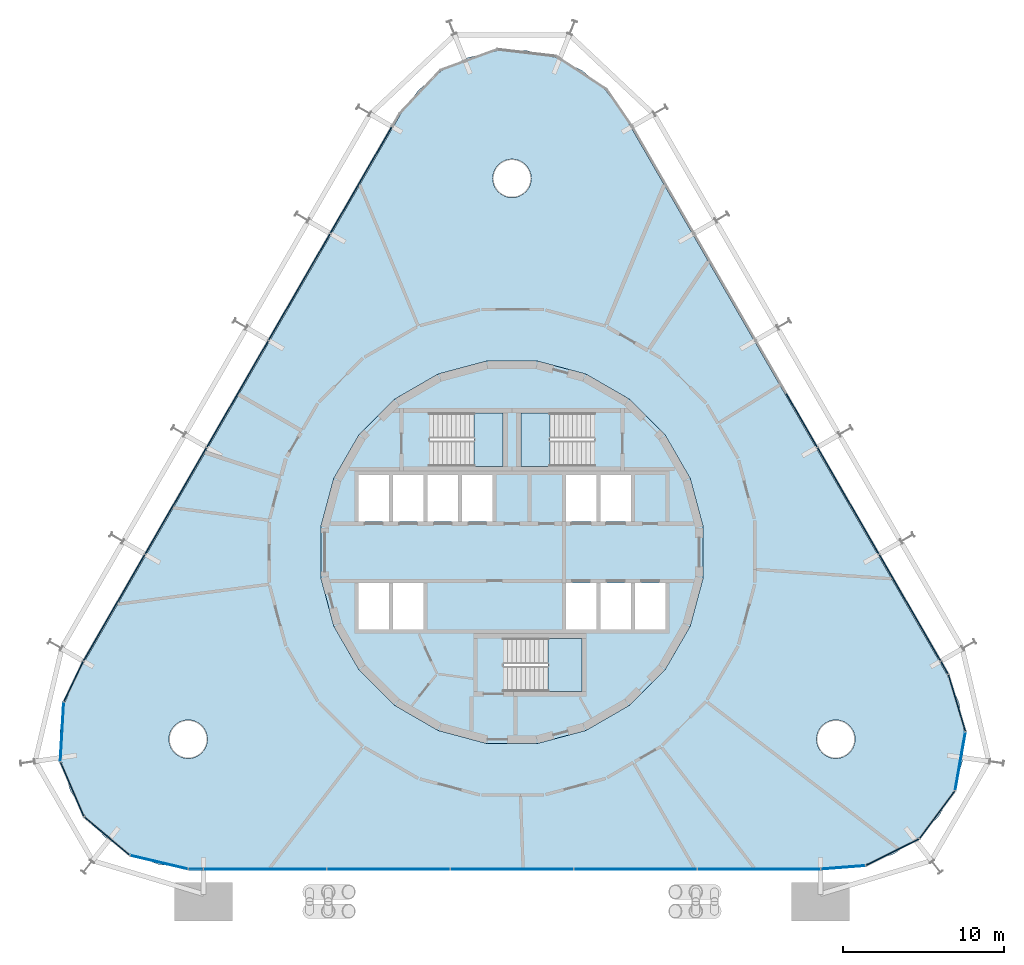
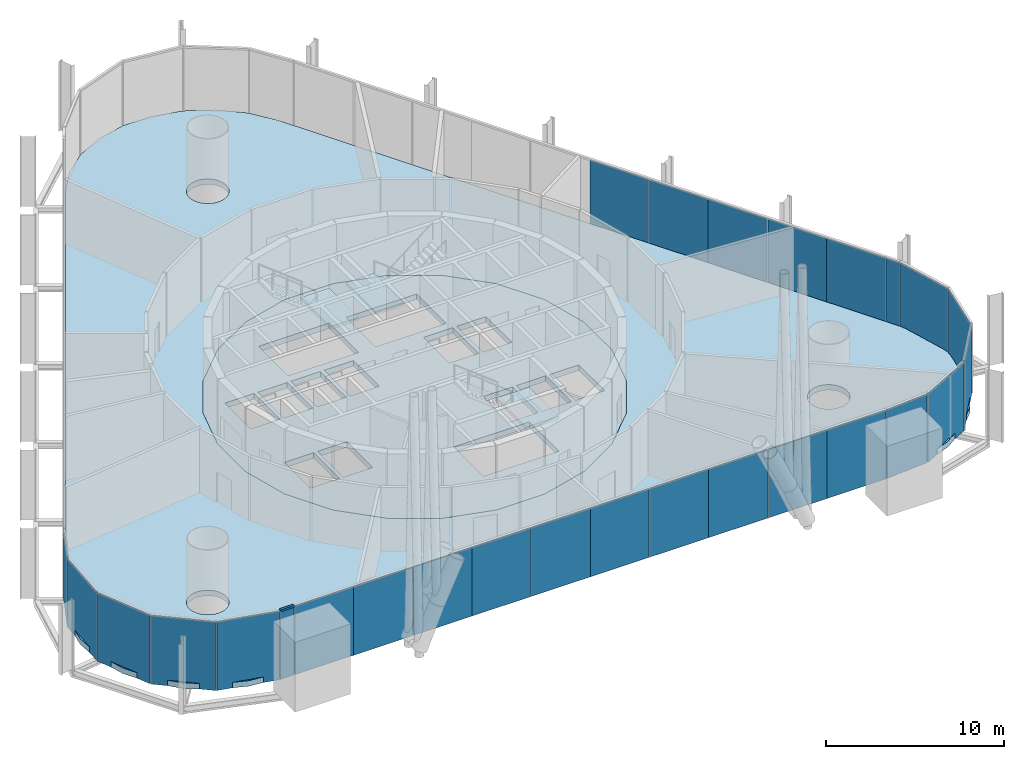
# One storey, part 12 of 17: 37 plates, 5 slabs, 1 member, 8 elements without a shape of their own.
"""IFC4 building model written with IfcOpenShell, lengths in metres."""

from ifc_helpers import new_model, si_unit, direction, frame, origin, origin_2d, place, context, subcontext, project, spatial, polyline, rectangle, outline, extrude, material, layer, layer_set, material_profile, profile_set, type_object, element, aggregate, save


model = new_model("IFC4")

# Units and contexts
model_context = context("Model", 3, precision=1e-05, world=origin(), true_north=direction((0.0, 1.0)))
body_context = subcontext(model_context, "Body", "Model", "MODEL_VIEW")
ifc_project = project(units=[si_unit("LENGTHUNIT", "METRE"), si_unit("AREAUNIT", "SQUARE_METRE"), si_unit("VOLUMEUNIT", "CUBIC_METRE"), si_unit("PLANEANGLEUNIT", "RADIAN"), si_unit("MASSUNIT", "GRAM", prefix="KILO")], contexts=[model_context])

# Site, building, storey
site_placement = place(None, origin())
site = spatial("IfcSite", under=ifc_project, at=site_placement, CompositionType="ELEMENT")
building_placement = place(site_placement, origin())
building = spatial("IfcBuilding", under=site, at=building_placement, Name="Spindle Arch Residences", CompositionType="ELEMENT")
storey_placement = place(building_placement, frame((0.0, 0.0, 13.800048828125)))
storey = spatial("IfcBuildingStorey", under=building, at=storey_placement, Name="L02", CompositionType="ELEMENT", Elevation=13.800048828125)

# Curtain wall, member
ifc_material_1 = material(Name="Aluminium bronze unitised frame with tinted glass", Category="aluminium")
ifc_layer_1 = layer(ifc_material_1, 0.159912109375)
ifc_layer_set_1 = layer_set([ifc_layer_1], Name="CW-D corner wall on the fillet arcs")
curtain_wall_type_1 = type_object("IfcCurtainWallType", Name="CW-D corner wall on the fillet arcs", PredefinedType="NOTDEFINED", material=ifc_layer_set_1)
curtain_wall_1_placement = place(storey_placement, origin())
curtain_wall_1 = element("IfcCurtainWall", 1, at=curtain_wall_1_placement, inside=storey, type_object=curtain_wall_type_1, Name="CW-D L02 run 5", PredefinedType="NOTDEFINED")
ifc_material_2 = material(Name="Aluminium bronze anodised transom", Category="aluminium")
ifc_material_profile = material_profile(ifc_material_2, rectangle(XDim=0.159912109375, YDim=0.1201171875, at=origin_2d()), Name="TR 120x160")
ifc_profile_set = profile_set([ifc_material_profile], Name="Aluminium bronze anodised transom")
member_type = type_object("IfcMemberType", Name="Bronze transom 120x160", PredefinedType="USERDEFINED", material=ifc_profile_set)
member_placement = place(storey_placement, frame((-20.113525390625, -19.7099609375, 4.35986328125), z_axis=(1.0, 0.0, 0.0), x_axis=(0.0, 1.0, 0.0)))
member = element("IfcMember", 2, at=member_placement, type_object=member_type, Name="CW-D transom 05", ObjectType="TRANSOM", PredefinedType="USERDEFINED", context=body_context, shape_type="SweptSolid", body=[
    extrude(rectangle(XDim=0.159912109375, YDim=0.1201171875, at=origin_2d()), origin(), (0.0, 0.0, 1.0), 0.88330078125),
])

# Slab
ifc_material_3 = material(Name="Concrete C50/60", Category="concrete")
ifc_layer_2 = layer(ifc_material_3, 0.3798828125)
ifc_layer_set_2 = layer_set([ifc_layer_2], Name="Core floor slab 380")
slab_type_1 = type_object("IfcSlabType", Name="Core floor slab 380", PredefinedType="FLOOR", material=ifc_layer_set_2)
slab_1_placement = place(storey_placement, frame((0.0, 0.0, -0.380126953125)))
element("IfcSlab", 3, at=slab_1_placement, inside=storey, type_object=slab_type_1, Name="Core floor L02", PredefinedType="FLOOR", context=body_context, shape_type="SweptSolid", body=[
    extrude(outline(polyline([(1.56640625, -11.897216796875), (4.59228515625, -11.086669921875), (7.30517578125, -9.520263671875), (9.520263671875, -7.30517578125), (11.086669921875, -4.59228515625), (11.897216796875, -1.56640625), (11.897216796875, 1.56640625), (11.086669921875, 4.59228515625), (9.520263671875, 7.30517578125), (7.30517578125, 9.520263671875), (4.59228515625, 11.086669921875), (1.56640625, 11.897216796875), (-1.56640625, 11.897216796875), (-4.59228515625, 11.086669921875), (-7.30517578125, 9.520263671875), (-9.520263671875, 7.30517578125), (-11.086669921875, 4.59228515625), (-11.897216796875, 1.56640625), (-11.897216796875, -1.56640625), (-11.086669921875, -4.59228515625), (-9.520263671875, -7.30517578125), (-7.30517578125, -9.520263671875), (-4.59228515625, -11.086669921875), (-1.56640625, -11.897216796875), (1.56640625, -11.897216796875)]), holes=[polyline([(-9.550048828125, 1.89990234375), (-7.64990234375, 1.89990234375), (-7.64990234375, 4.800048828125), (-9.550048828125, 4.800048828125), (-9.550048828125, 1.89990234375)]), polyline([(-7.39990234375, 1.89990234375), (-5.5, 1.89990234375), (-5.5, 4.800048828125), (-7.39990234375, 4.800048828125), (-7.39990234375, 1.89990234375)]), polyline([(-5.25, 1.89990234375), (-3.35009765625, 1.89990234375), (-3.35009765625, 4.800048828125), (-5.25, 4.800048828125), (-5.25, 1.89990234375)]), polyline([(-3.10009765625, 1.89990234375), (-1.199951171875, 1.89990234375), (-1.199951171875, 4.800048828125), (-3.10009765625, 4.800048828125), (-3.10009765625, 1.89990234375)]), polyline([(3.35009765625, 1.89990234375), (5.25, 1.89990234375), (5.25, 4.800048828125), (3.35009765625, 4.800048828125), (3.35009765625, 1.89990234375)]), polyline([(5.5, 1.89990234375), (7.39990234375, 1.89990234375), (7.39990234375, 4.800048828125), (5.5, 4.800048828125), (5.5, 1.89990234375)]), polyline([(-9.550048828125, -4.800048828125), (-7.64990234375, -4.800048828125), (-7.64990234375, -1.89990234375), (-9.550048828125, -1.89990234375), (-9.550048828125, -4.800048828125)]), polyline([(-7.39990234375, -4.800048828125), (-5.5, -4.800048828125), (-5.5, -1.89990234375), (-7.39990234375, -1.89990234375), (-7.39990234375, -4.800048828125)]), polyline([(3.35009765625, -4.800048828125), (5.25, -4.800048828125), (5.25, -1.89990234375), (3.35009765625, -1.89990234375), (3.35009765625, -4.800048828125)]), polyline([(5.5, -4.800048828125), (7.39990234375, -4.800048828125), (7.39990234375, -1.89990234375), (5.5, -1.89990234375), (5.5, -4.800048828125)]), polyline([(7.64990234375, -4.800048828125), (9.550048828125, -4.800048828125), (9.550048828125, -1.89990234375), (7.64990234375, -1.89990234375), (7.64990234375, -4.800048828125)]), polyline([(5.1298828125, 8.669921875), (0.550048828125, 8.669921875), (0.550048828125, 5.35009765625), (5.1298828125, 5.35009765625), (5.1298828125, 8.669921875)]), polyline([(-5.1298828125, 5.35009765625), (-0.550048828125, 5.35009765625), (-0.550048828125, 8.669921875), (-5.1298828125, 8.669921875), (-5.1298828125, 5.35009765625)]), polyline([(-0.530029296875, -8.669921875), (4.35009765625, -8.669921875), (4.35009765625, -5.35009765625), (-0.530029296875, -5.35009765625), (-0.530029296875, -8.669921875)])]), origin(), (0.0, 0.0, 1.0), 0.380126953125),
])

# Stair, slab
ifc_material_4 = material(Name="Concrete C50/60", Category="concrete")
stair_type = type_object("IfcStairType", Name="Exit stair 22 risers", PredefinedType="HALF_TURN_STAIR", material=ifc_material_4)
stair_1_placement = place(storey_placement, origin())
stair_1 = element("IfcStair", 4, at=stair_1_placement, inside=storey, type_object=stair_type, Name="L02 Exit stair ST1", PredefinedType="HALF_TURN_STAIR")
ifc_material_5 = material(Name="Concrete C50/60", Category="concrete")
ifc_layer_3 = layer(ifc_material_5, 0.219970703125)
ifc_layer_set_3 = layer_set([ifc_layer_3], Name="Exit stair landing 220")
slab_type_2 = type_object("IfcSlabType", Name="Exit stair landing 220", PredefinedType="LANDING", material=ifc_layer_set_3)
slab_2_placement = place(storey_placement, frame((0.0, 0.0, 2.179931640625)))
slab_2 = element("IfcSlab", 5, at=slab_2_placement, type_object=slab_type_2, Name="ST1 landing 1", PredefinedType="LANDING", context=body_context, shape_type="SweptSolid", body=[
    extrude(outline(polyline([(2.3701171875, 8.669921875), (0.550048828125, 8.669921875), (0.550048828125, 5.35009765625), (2.3701171875, 5.35009765625), (2.3701171875, 8.669921875)])), origin(), (0.0, 0.0, 1.0), 0.219970703125),
])
aggregate(stair_1, [slab_2])

stair_2_placement = place(storey_placement, origin())
stair_2 = element("IfcStair", 6, at=stair_2_placement, inside=storey, type_object=stair_type, Name="L02 Exit stair ST2", PredefinedType="HALF_TURN_STAIR")
slab_3_placement = place(storey_placement, frame((0.0, 0.0, 2.179931640625)))
slab_3 = element("IfcSlab", 7, at=slab_3_placement, type_object=slab_type_2, Name="ST2 landing 1", PredefinedType="LANDING", context=body_context, shape_type="SweptSolid", body=[
    extrude(outline(polyline([(-2.3701171875, 5.35009765625), (-0.550048828125, 5.35009765625), (-0.550048828125, 8.669921875), (-2.3701171875, 8.669921875), (-2.3701171875, 5.35009765625)])), origin(), (0.0, 0.0, 1.0), 0.219970703125),
])
aggregate(stair_2, [slab_3])

stair_3_placement = place(storey_placement, origin())
stair_3 = element("IfcStair", 8, at=stair_3_placement, inside=storey, type_object=stair_type, Name="L02 Exit stair ST3", PredefinedType="HALF_TURN_STAIR")
slab_4_placement = place(storey_placement, frame((0.0, 0.0, 2.179931640625)))
slab_4 = element("IfcSlab", 9, at=slab_4_placement, type_object=slab_type_2, Name="ST3 landing 1", PredefinedType="LANDING", context=body_context, shape_type="SweptSolid", body=[
    extrude(outline(polyline([(2.22998046875, -8.669921875), (4.35009765625, -8.669921875), (4.35009765625, -5.35009765625), (2.22998046875, -5.35009765625), (2.22998046875, -8.669921875)])), origin(), (0.0, 0.0, 1.0), 0.219970703125),
])
aggregate(stair_3, [slab_4])

# Slab
ifc_material_6 = material(Name="Concrete C40/50", Category="concrete")
ifc_layer_4 = layer(ifc_material_6, 0.3798828125)
ifc_layer_set_4 = layer_set([ifc_layer_4], Name="Floor slab 380")
slab_type_3 = type_object("IfcSlabType", Name="Floor slab 380", PredefinedType="FLOOR", material=ifc_layer_set_4)
slab_5_placement = place(storey_placement, frame((0.0, 0.0, -0.380126953125)))
element("IfcSlab", 10, at=slab_5_placement, inside=storey, type_object=slab_type_3, Name="Floor slab L02", PredefinedType="FLOOR", context=body_context, shape_type="SweptSolid", body=[
    extrude(outline(polyline([(-21.988525390625, -19.414306640625), (-23.73388671875, -18.779052734375), (-25.285888671875, -17.75830078125), (-26.560546875, -16.4072265625), (-27.4892578125, -14.798583984375), (-28.022216796875, -13.01904296875), (-28.130126953125, -11.164794921875), (-27.8076171875, -9.33544921875), (-27.07177734375, -7.6298828125), (-6.92822265625, 27.259765625), (-5.819091796875, 28.749755859375), (-4.39599609375, 29.943603515625), (-2.736083984375, 30.77734375), (-0.9287109375, 31.205810546875), (0.9287109375, 31.205810546875), (2.736083984375, 30.77734375), (4.39599609375, 29.943603515625), (5.819091796875, 28.749755859375), (6.92822265625, 27.259765625), (27.07177734375, -7.6298828125), (27.8076171875, -9.33544921875), (28.130126953125, -11.164794921875), (28.022216796875, -13.01904296875), (27.4892578125, -14.798583984375), (26.560546875, -16.4072265625), (25.285888671875, -17.75830078125), (23.73388671875, -18.779052734375), (21.988525390625, -19.414306640625), (20.1435546875, -19.6298828125), (0.0, -19.6298828125), (-20.1435546875, -19.6298828125), (-21.988525390625, -19.414306640625)]), holes=[polyline([(7.30517578125, -9.520263671875), (9.520263671875, -7.30517578125), (11.086669921875, -4.59228515625), (11.897216796875, -1.56640625), (11.897216796875, 1.56640625), (11.086669921875, 4.59228515625), (9.520263671875, 7.30517578125), (7.30517578125, 9.520263671875), (4.59228515625, 11.086669921875), (1.56640625, 11.897216796875), (-1.56640625, 11.897216796875), (-4.59228515625, 11.086669921875), (-7.30517578125, 9.520263671875), (-9.520263671875, 7.30517578125), (-11.086669921875, 4.59228515625), (-11.897216796875, 1.56640625), (-11.897216796875, -1.56640625), (-11.086669921875, -4.59228515625), (-9.520263671875, -7.30517578125), (-7.30517578125, -9.520263671875), (-4.59228515625, -11.086669921875), (-1.56640625, -11.897216796875), (1.56640625, -11.897216796875), (4.59228515625, -11.086669921875), (7.30517578125, -9.520263671875)]), polyline([(-19.295166015625, -12.478515625), (-19.145751953125, -12.296630859375), (-19.034912109375, -12.089111328125), (-18.966796875, -11.864013671875), (-18.943603515625, -11.6298828125), (-18.966796875, -11.395751953125), (-19.034912109375, -11.170654296875), (-19.145751953125, -10.963134765625), (-19.295166015625, -10.781494140625), (-19.476806640625, -10.632080078125), (-19.684326171875, -10.521240234375), (-19.909423828125, -10.452880859375), (-20.1435546875, -10.429931640625), (-20.377685546875, -10.452880859375), (-20.602783203125, -10.521240234375), (-20.810302734375, -10.632080078125), (-20.9921875, -10.781494140625), (-21.141357421875, -10.963134765625), (-21.252197265625, -11.170654296875), (-21.320556640625, -11.395751953125), (-21.343505859375, -11.6298828125), (-21.320556640625, -11.864013671875), (-21.252197265625, -12.089111328125), (-21.141357421875, -12.296630859375), (-20.9921875, -12.478515625), (-20.810302734375, -12.627685546875), (-20.602783203125, -12.738525390625), (-20.377685546875, -12.806884765625), (-20.1435546875, -12.829833984375), (-19.909423828125, -12.806884765625), (-19.684326171875, -12.738525390625), (-19.476806640625, -12.627685546875), (-19.295166015625, -12.478515625)]), polyline([(0.848388671875, 22.411376953125), (0.997802734375, 22.593017578125), (1.108642578125, 22.800537109375), (1.177001953125, 23.025634765625), (1.199951171875, 23.259765625), (1.177001953125, 23.493896484375), (1.108642578125, 23.718994140625), (0.997802734375, 23.926513671875), (0.848388671875, 24.1083984375), (0.666748046875, 24.257568359375), (0.459228515625, 24.368408203125), (0.234130859375, 24.436767578125), (0.0, 24.459716796875), (-0.234130859375, 24.436767578125), (-0.459228515625, 24.368408203125), (-0.666748046875, 24.257568359375), (-0.848388671875, 24.1083984375), (-0.997802734375, 23.926513671875), (-1.108642578125, 23.718994140625), (-1.177001953125, 23.493896484375), (-1.199951171875, 23.259765625), (-1.177001953125, 23.025634765625), (-1.108642578125, 22.800537109375), (-0.997802734375, 22.593017578125), (-0.848388671875, 22.411376953125), (-0.666748046875, 22.261962890625), (-0.459228515625, 22.151123046875), (-0.234130859375, 22.0830078125), (0.0, 22.059814453125), (0.234130859375, 22.0830078125), (0.459228515625, 22.151123046875), (0.666748046875, 22.261962890625), (0.848388671875, 22.411376953125)]), polyline([(20.9921875, -12.478515625), (21.141357421875, -12.296630859375), (21.252197265625, -12.089111328125), (21.320556640625, -11.864013671875), (21.343505859375, -11.6298828125), (21.320556640625, -11.395751953125), (21.252197265625, -11.170654296875), (21.141357421875, -10.963134765625), (20.9921875, -10.781494140625), (20.810302734375, -10.632080078125), (20.602783203125, -10.521240234375), (20.377685546875, -10.452880859375), (20.1435546875, -10.429931640625), (19.909423828125, -10.452880859375), (19.684326171875, -10.521240234375), (19.476806640625, -10.632080078125), (19.295166015625, -10.781494140625), (19.145751953125, -10.963134765625), (19.034912109375, -11.170654296875), (18.966796875, -11.395751953125), (18.943603515625, -11.6298828125), (18.966796875, -11.864013671875), (19.034912109375, -12.089111328125), (19.145751953125, -12.296630859375), (19.295166015625, -12.478515625), (19.476806640625, -12.627685546875), (19.684326171875, -12.738525390625), (19.909423828125, -12.806884765625), (20.1435546875, -12.829833984375), (20.377685546875, -12.806884765625), (20.602783203125, -12.738525390625), (20.810302734375, -12.627685546875), (20.9921875, -12.478515625)])]), origin(), (0.0, 0.0, 1.0), 0.380126953125),
])

# Curtain wall, plates
curtain_wall_2_placement = place(storey_placement, origin())
curtain_wall_2 = element("IfcCurtainWall", 11, at=curtain_wall_2_placement, inside=storey, type_object=curtain_wall_type_1, Name="CW-D L02 run 1", PredefinedType="NOTDEFINED")
ifc_material_7 = material(Name="Tinted double glazing over aluminium faced non-combustible spandrel zone (K0)", Category="aluminium")
ifc_layer_5 = layer(ifc_material_7, 0.06005859375)
ifc_layer_set_5 = layer_set([ifc_layer_5], Name="Unitised glass panel with E 60 spandrel zone")
plate_type = type_object("IfcPlateType", Name="Unitised glass panel with E 60 spandrel zone", PredefinedType="CURTAIN_PANEL", material=ifc_layer_set_5)
plate_1_placement = place(storey_placement, frame((20.603515625, -19.60107421875, -0.3798828125), z_axis=(0.0, 0.0, 1.0), x_axis=(0.997002907861, 0.077364085451, 0.0)))
plate_1 = element("IfcPlate", 12, at=plate_1_placement, type_object=plate_type, Name="CW-D unit 00", PredefinedType="CURTAIN_PANEL", context=body_context, shape_type="SweptSolid", body=[
    extrude(rectangle(XDim=2.755126953125, YDim=0.06005859375, at=origin_2d()), origin(), (0.0, 0.0, 1.0), 4.679931640625),
])
plate_2_placement = place(storey_placement, frame((23.672119140625, -18.65576171875, -0.3798828125), z_axis=(0.0, 0.0, 1.0), x_axis=(0.893632642326, 0.448799176213, 0.0)))
plate_2 = element("IfcPlate", 13, at=plate_2_placement, type_object=plate_type, Name="CW-D unit 01", PredefinedType="CURTAIN_PANEL", context=body_context, shape_type="SweptSolid", body=[
    extrude(rectangle(XDim=3.666748046875, YDim=0.06005859375, at=origin_2d()), origin(), (0.0, 0.0, 1.0), 4.679931640625),
])
plate_3_placement = place(storey_placement, frame((26.449951171875, -16.324951171875, -0.3798828125), z_axis=(0.0, 0.0, 1.0), x_axis=(0.597158595823, 0.802123189687, 0.0)))
plate_3 = element("IfcPlate", 14, at=plate_3_placement, type_object=plate_type, Name="CW-D unit 02", PredefinedType="CURTAIN_PANEL", context=body_context, shape_type="SweptSolid", body=[
    extrude(rectangle(XDim=3.666748046875, YDim=0.06005859375, at=origin_2d()), origin(), (0.0, 0.0, 1.0), 4.679931640625),
])
plate_4_placement = place(storey_placement, frame((27.88623046875, -12.9951171875, -0.3798828125), z_axis=(0.0, 0.0, 1.0), x_axis=(0.173648181019, 0.984807752421, 0.0)))
plate_4 = element("IfcPlate", 15, at=plate_4_placement, type_object=plate_type, Name="CW-D unit 03", PredefinedType="CURTAIN_PANEL", context=body_context, shape_type="SweptSolid", body=[
    extrude(rectangle(XDim=3.666748046875, YDim=0.06005859375, at=origin_2d()), origin(), (0.0, 0.0, 1.0), 4.679931640625),
])
plate_5_placement = place(storey_placement, frame((27.675537109375, -9.375, -0.3798828125), z_axis=(0.0, 0.0, 1.0), x_axis=(-0.28680323051, 0.957989512975, 0.0)))
plate_5 = element("IfcPlate", 16, at=plate_5_placement, type_object=plate_type, Name="CW-D unit 04", PredefinedType="CURTAIN_PANEL", context=body_context, shape_type="SweptSolid", body=[
    extrude(rectangle(XDim=3.666748046875, YDim=0.06005859375, at=origin_2d()), origin(), (0.0, 0.0, 1.0), 4.679931640625),
])
plate_6_placement = place(storey_placement, frame((26.9052734375, -7.181396484375, -0.3798828125), z_axis=(0.0, 0.0, 1.0), x_axis=(-0.5, 0.866025403784, 0.0)))
plate_6 = element("IfcPlate", 17, at=plate_6_placement, type_object=plate_type, Name="CW-D unit 05", PredefinedType="CURTAIN_PANEL", context=body_context, shape_type="SweptSolid", body=[
    extrude(rectangle(XDim=0.88330078125, YDim=0.06005859375, at=origin_2d()), origin(), (0.0, 0.0, 1.0), 4.679931640625),
])
aggregate(curtain_wall_2, [plate_1, plate_2, plate_3, plate_4, plate_5, plate_6])

ifc_material_8 = material(Name="Aluminium bronze unitised frame with tinted glass", Category="aluminium")
ifc_layer_6 = layer(ifc_material_8, 0.159912109375)
ifc_layer_set_6 = layer_set([ifc_layer_6], Name="CW-B amenity podium glazed wall")
curtain_wall_type_2 = type_object("IfcCurtainWallType", Name="CW-B amenity podium glazed wall", PredefinedType="NOTDEFINED", material=ifc_layer_set_6)
curtain_wall_3_placement = place(storey_placement, origin())
curtain_wall_3 = element("IfcCurtainWall", 18, at=curtain_wall_3_placement, inside=storey, type_object=curtain_wall_type_2, Name="CW-B L02 run 2", PredefinedType="NOTDEFINED")
plate_7_placement = place(storey_placement, frame((25.701904296875, -5.09716796875, -0.3798828125), z_axis=(0.0, 0.0, 1.0), x_axis=(-0.5, 0.866025403784, 0.0)))
plate_7 = element("IfcPlate", 19, at=plate_7_placement, type_object=plate_type, Name="CW-B unit 05A", PredefinedType="CURTAIN_PANEL", context=body_context, shape_type="SweptSolid", body=[
    extrude(rectangle(XDim=3.81005859375, YDim=0.06005859375, at=origin_2d()), origin(), (0.0, 0.0, 1.0), 4.679931640625),
])
plate_8_placement = place(storey_placement, frame((23.796875, -1.797607421875, -0.3798828125), z_axis=(0.0, 0.0, 1.0), x_axis=(-0.5, 0.866025403784, 0.0)))
plate_8 = element("IfcPlate", 20, at=plate_8_placement, type_object=plate_type, Name="CW-B unit 05B", PredefinedType="CURTAIN_PANEL", context=body_context, shape_type="SweptSolid", body=[
    extrude(rectangle(XDim=3.81005859375, YDim=0.06005859375, at=origin_2d()), origin(), (0.0, 0.0, 1.0), 4.679931640625),
])
plate_9_placement = place(storey_placement, frame((21.86181640625, 1.553955078125, -0.3798828125), z_axis=(0.0, 0.0, 1.0), x_axis=(-0.5, 0.866025403784, 0.0)))
plate_9 = element("IfcPlate", 21, at=plate_9_placement, type_object=plate_type, Name="CW-B unit 06A", PredefinedType="CURTAIN_PANEL", context=body_context, shape_type="SweptSolid", body=[
    extrude(rectangle(XDim=3.81005859375, YDim=0.06005859375, at=origin_2d()), origin(), (0.0, 0.0, 1.0), 4.679931640625),
])
plate_10_placement = place(storey_placement, frame((19.956787109375, 4.853515625, -0.3798828125), z_axis=(0.0, 0.0, 1.0), x_axis=(-0.5, 0.866025403784, 0.0)))
plate_10 = element("IfcPlate", 22, at=plate_10_placement, type_object=plate_type, Name="CW-B unit 06B", PredefinedType="CURTAIN_PANEL", context=body_context, shape_type="SweptSolid", body=[
    extrude(rectangle(XDim=3.81005859375, YDim=0.06005859375, at=origin_2d()), origin(), (0.0, 0.0, 1.0), 4.679931640625),
])
plate_11_placement = place(storey_placement, frame((18.021728515625, 8.205078125, -0.3798828125), z_axis=(0.0, 0.0, 1.0), x_axis=(-0.5, 0.866025403784, 0.0)))
plate_11 = element("IfcPlate", 23, at=plate_11_placement, type_object=plate_type, Name="CW-B unit 07A", PredefinedType="CURTAIN_PANEL", context=body_context, shape_type="SweptSolid", body=[
    extrude(rectangle(XDim=3.81005859375, YDim=0.06005859375, at=origin_2d()), origin(), (0.0, 0.0, 1.0), 4.679931640625),
])
aggregate(curtain_wall_3, [plate_7, plate_8, plate_9, plate_10, plate_11])

curtain_wall_4_placement = place(storey_placement, origin())
curtain_wall_4 = element("IfcCurtainWall", 24, at=curtain_wall_4_placement, inside=storey, type_object=curtain_wall_type_2, Name="CW-B L02 run 4", PredefinedType="NOTDEFINED")
plate_12_placement = place(storey_placement, frame((-8.436767578125, 24.80712890625, -0.3798828125), z_axis=(0.0, 0.0, 1.0), x_axis=(-0.5, -0.866025403784, 0.0)))
plate_12 = element("IfcPlate", 25, at=plate_12_placement, type_object=plate_type, Name="CW-B unit 13A", PredefinedType="CURTAIN_PANEL", context=body_context, shape_type="SweptSolid", body=[
    extrude(rectangle(XDim=3.81005859375, YDim=0.06005859375, at=origin_2d()), origin(), (0.0, 0.0, 1.0), 4.679931640625),
])
plate_13_placement = place(storey_placement, frame((-10.341796875, 21.50732421875, -0.3798828125), z_axis=(0.0, 0.0, 1.0), x_axis=(-0.5, -0.866025403784, 0.0)))
plate_13 = element("IfcPlate", 26, at=plate_13_placement, type_object=plate_type, Name="CW-B unit 13B", PredefinedType="CURTAIN_PANEL", context=body_context, shape_type="SweptSolid", body=[
    extrude(rectangle(XDim=3.81005859375, YDim=0.06005859375, at=origin_2d()), origin(), (0.0, 0.0, 1.0), 4.679931640625),
])
plate_14_placement = place(storey_placement, frame((-12.27685546875, 18.156005859375, -0.3798828125), z_axis=(0.0, 0.0, 1.0), x_axis=(-0.5, -0.866025403784, 0.0)))
plate_14 = element("IfcPlate", 27, at=plate_14_placement, type_object=plate_type, Name="CW-B unit 14A", PredefinedType="CURTAIN_PANEL", context=body_context, shape_type="SweptSolid", body=[
    extrude(rectangle(XDim=3.81005859375, YDim=0.06005859375, at=origin_2d()), origin(), (0.0, 0.0, 1.0), 4.679931640625),
])
plate_15_placement = place(storey_placement, frame((-14.181640625, 14.856201171875, -0.3798828125), z_axis=(0.0, 0.0, 1.0), x_axis=(-0.5, -0.866025403784, 0.0)))
plate_15 = element("IfcPlate", 28, at=plate_15_placement, type_object=plate_type, Name="CW-B unit 14B", PredefinedType="CURTAIN_PANEL", context=body_context, shape_type="SweptSolid", body=[
    extrude(rectangle(XDim=3.81005859375, YDim=0.06005859375, at=origin_2d()), origin(), (0.0, 0.0, 1.0), 4.679931640625),
])
plate_16_placement = place(storey_placement, frame((-16.11669921875, 11.504638671875, -0.3798828125), z_axis=(0.0, 0.0, 1.0), x_axis=(-0.5, -0.866025403784, 0.0)))
plate_16 = element("IfcPlate", 29, at=plate_16_placement, type_object=plate_type, Name="CW-B unit 15A", PredefinedType="CURTAIN_PANEL", context=body_context, shape_type="SweptSolid", body=[
    extrude(rectangle(XDim=3.81005859375, YDim=0.06005859375, at=origin_2d()), origin(), (0.0, 0.0, 1.0), 4.679931640625),
])
plate_17_placement = place(storey_placement, frame((-18.021728515625, 8.205078125, -0.3798828125), z_axis=(0.0, 0.0, 1.0), x_axis=(-0.5, -0.866025403784, 0.0)))
plate_17 = element("IfcPlate", 30, at=plate_17_placement, type_object=plate_type, Name="CW-B unit 15B", PredefinedType="CURTAIN_PANEL", context=body_context, shape_type="SweptSolid", body=[
    extrude(rectangle(XDim=3.81005859375, YDim=0.06005859375, at=origin_2d()), origin(), (0.0, 0.0, 1.0), 4.679931640625),
])
plate_18_placement = place(storey_placement, frame((-19.956787109375, 4.853515625, -0.3798828125), z_axis=(0.0, 0.0, 1.0), x_axis=(-0.5, -0.866025403784, 0.0)))
plate_18 = element("IfcPlate", 31, at=plate_18_placement, type_object=plate_type, Name="CW-B unit 16A", PredefinedType="CURTAIN_PANEL", context=body_context, shape_type="SweptSolid", body=[
    extrude(rectangle(XDim=3.81005859375, YDim=0.06005859375, at=origin_2d()), origin(), (0.0, 0.0, 1.0), 4.679931640625),
])
plate_19_placement = place(storey_placement, frame((-21.86181640625, 1.553955078125, -0.3798828125), z_axis=(0.0, 0.0, 1.0), x_axis=(-0.5, -0.866025403784, 0.0)))
plate_19 = element("IfcPlate", 32, at=plate_19_placement, type_object=plate_type, Name="CW-B unit 16B", PredefinedType="CURTAIN_PANEL", context=body_context, shape_type="SweptSolid", body=[
    extrude(rectangle(XDim=3.81005859375, YDim=0.06005859375, at=origin_2d()), origin(), (0.0, 0.0, 1.0), 4.679931640625),
])
plate_20_placement = place(storey_placement, frame((-23.796875, -1.797607421875, -0.3798828125), z_axis=(0.0, 0.0, 1.0), x_axis=(-0.5, -0.866025403784, 0.0)))
plate_20 = element("IfcPlate", 33, at=plate_20_placement, type_object=plate_type, Name="CW-B unit 17A", PredefinedType="CURTAIN_PANEL", context=body_context, shape_type="SweptSolid", body=[
    extrude(rectangle(XDim=3.81005859375, YDim=0.06005859375, at=origin_2d()), origin(), (0.0, 0.0, 1.0), 4.679931640625),
])
plate_21_placement = place(storey_placement, frame((-25.701904296875, -5.09716796875, -0.3798828125), z_axis=(0.0, 0.0, 1.0), x_axis=(-0.5, -0.866025403784, 0.0)))
plate_21 = element("IfcPlate", 34, at=plate_21_placement, type_object=plate_type, Name="CW-B unit 17B", PredefinedType="CURTAIN_PANEL", context=body_context, shape_type="SweptSolid", body=[
    extrude(rectangle(XDim=3.81005859375, YDim=0.06005859375, at=origin_2d()), origin(), (0.0, 0.0, 1.0), 4.679931640625),
])
aggregate(curtain_wall_4, [plate_12, plate_13, plate_14, plate_15, plate_16, plate_17, plate_18, plate_19, plate_20, plate_21])

# Plate
plate_22_placement = place(storey_placement, frame((-27.27685546875, -8.042724609375, -0.3798828125), z_axis=(0.0, 0.0, 1.0), x_axis=(-0.431502189519, -0.902111889092, 0.0)))
plate_22 = element("IfcPlate", 35, at=plate_22_placement, type_object=plate_type, Name="CW-D unit 00", PredefinedType="CURTAIN_PANEL", context=body_context, shape_type="SweptSolid", body=[
    extrude(rectangle(XDim=2.755126953125, YDim=0.06005859375, at=origin_2d()), origin(), (0.0, 0.0, 1.0), 4.679931640625),
])

plate_23_placement = place(storey_placement, frame((-27.992431640625, -11.1728515625, -0.3798828125), z_axis=(0.0, 0.0, 1.0), x_axis=(-0.058144829968, -0.99830815821, 0.0)))
plate_23 = element("IfcPlate", 36, at=plate_23_placement, type_object=plate_type, Name="CW-D unit 01", PredefinedType="CURTAIN_PANEL", context=body_context, shape_type="SweptSolid", body=[
    extrude(rectangle(XDim=3.666748046875, YDim=0.06005859375, at=origin_2d()), origin(), (0.0, 0.0, 1.0), 4.679931640625),
])

plate_24_placement = place(storey_placement, frame((-27.36279296875, -14.743896484375, -0.3798828125), z_axis=(0.0, 0.0, 1.0), x_axis=(0.396079766691, -0.918216106599, 0.0)))
plate_24 = element("IfcPlate", 37, at=plate_24_placement, type_object=plate_type, Name="CW-D unit 02", PredefinedType="CURTAIN_PANEL", context=body_context, shape_type="SweptSolid", body=[
    extrude(rectangle(XDim=3.666748046875, YDim=0.06005859375, at=origin_2d()), origin(), (0.0, 0.0, 1.0), 4.679931640625),
])

plate_25_placement = place(storey_placement, frame((-25.197265625, -17.652587890625, -0.3798828125), z_axis=(0.0, 0.0, 1.0), x_axis=(0.766044445239, -0.64278760716, 0.0)))
plate_25 = element("IfcPlate", 38, at=plate_25_placement, type_object=plate_type, Name="CW-D unit 03", PredefinedType="CURTAIN_PANEL", context=body_context, shape_type="SweptSolid", body=[
    extrude(rectangle(XDim=3.666748046875, YDim=0.06005859375, at=origin_2d()), origin(), (0.0, 0.0, 1.0), 4.679931640625),
])

plate_26_placement = place(storey_placement, frame((-21.956787109375, -19.2802734375, -0.3798828125), z_axis=(0.0, 0.0, 1.0), x_axis=(0.973044871028, -0.230615868852, 0.0)))
plate_26 = element("IfcPlate", 39, at=plate_26_placement, type_object=plate_type, Name="CW-D unit 04", PredefinedType="CURTAIN_PANEL", context=body_context, shape_type="SweptSolid", body=[
    extrude(rectangle(XDim=3.666748046875, YDim=0.06005859375, at=origin_2d()), origin(), (0.0, 0.0, 1.0), 4.679931640625),
])

plate_27_placement = place(storey_placement, frame((-19.671875, -19.7099609375, -0.3798828125), z_axis=(0.0, 0.0, 1.0), x_axis=(1.0, 0.0, 0.0)))
plate_27 = element("IfcPlate", 40, at=plate_27_placement, type_object=plate_type, Name="CW-D unit 05", PredefinedType="CURTAIN_PANEL", context=body_context, shape_type="SweptSolid", body=[
    extrude(rectangle(XDim=0.88330078125, YDim=0.06005859375, at=origin_2d()), origin(), (0.0, 0.0, 1.0), 4.679931640625),
])

aggregate(curtain_wall_1, [plate_22, plate_23, plate_24, plate_25, plate_26, member, plate_27])

# Curtain wall, plates
curtain_wall_5_placement = place(storey_placement, origin())
curtain_wall_5 = element("IfcCurtainWall", 41, at=curtain_wall_5_placement, inside=storey, type_object=curtain_wall_type_2, Name="CW-B L02 run 6", PredefinedType="NOTDEFINED")
plate_28_placement = place(storey_placement, frame((-17.26513671875, -19.7099609375, -0.3798828125), z_axis=(0.0, 0.0, 1.0), x_axis=(1.0, 0.0, 0.0)))
plate_28 = element("IfcPlate", 42, at=plate_28_placement, type_object=plate_type, Name="CW-B unit 21A", PredefinedType="CURTAIN_PANEL", context=body_context, shape_type="SweptSolid", body=[
    extrude(rectangle(XDim=3.81005859375, YDim=0.06005859375, at=origin_2d()), origin(), (0.0, 0.0, 1.0), 4.679931640625),
])
plate_29_placement = place(storey_placement, frame((-13.455078125, -19.7099609375, -0.3798828125), z_axis=(0.0, 0.0, 1.0), x_axis=(1.0, 0.0, 0.0)))
plate_29 = element("IfcPlate", 43, at=plate_29_placement, type_object=plate_type, Name="CW-B unit 21B", PredefinedType="CURTAIN_PANEL", context=body_context, shape_type="SweptSolid", body=[
    extrude(rectangle(XDim=3.81005859375, YDim=0.06005859375, at=origin_2d()), origin(), (0.0, 0.0, 1.0), 4.679931640625),
])
plate_30_placement = place(storey_placement, frame((-9.585205078125, -19.7099609375, -0.3798828125), z_axis=(0.0, 0.0, 1.0), x_axis=(1.0, 0.0, 0.0)))
plate_30 = element("IfcPlate", 44, at=plate_30_placement, type_object=plate_type, Name="CW-B unit 22A", PredefinedType="CURTAIN_PANEL", context=body_context, shape_type="SweptSolid", body=[
    extrude(rectangle(XDim=3.81005859375, YDim=0.06005859375, at=origin_2d()), origin(), (0.0, 0.0, 1.0), 4.679931640625),
])
plate_31_placement = place(storey_placement, frame((-5.775146484375, -19.7099609375, -0.3798828125), z_axis=(0.0, 0.0, 1.0), x_axis=(1.0, 0.0, 0.0)))
plate_31 = element("IfcPlate", 45, at=plate_31_placement, type_object=plate_type, Name="CW-B unit 22B", PredefinedType="CURTAIN_PANEL", context=body_context, shape_type="SweptSolid", body=[
    extrude(rectangle(XDim=3.81005859375, YDim=0.06005859375, at=origin_2d()), origin(), (0.0, 0.0, 1.0), 4.679931640625),
])
plate_32_placement = place(storey_placement, frame((-1.905029296875, -19.7099609375, -0.3798828125), z_axis=(0.0, 0.0, 1.0), x_axis=(1.0, 0.0, 0.0)))
plate_32 = element("IfcPlate", 46, at=plate_32_placement, type_object=plate_type, Name="CW-B unit 23A", PredefinedType="CURTAIN_PANEL", context=body_context, shape_type="SweptSolid", body=[
    extrude(rectangle(XDim=3.81005859375, YDim=0.06005859375, at=origin_2d()), origin(), (0.0, 0.0, 1.0), 4.679931640625),
])
plate_33_placement = place(storey_placement, frame((1.905029296875, -19.7099609375, -0.3798828125), z_axis=(0.0, 0.0, 1.0), x_axis=(1.0, 0.0, 0.0)))
plate_33 = element("IfcPlate", 47, at=plate_33_placement, type_object=plate_type, Name="CW-B unit 23B", PredefinedType="CURTAIN_PANEL", context=body_context, shape_type="SweptSolid", body=[
    extrude(rectangle(XDim=3.81005859375, YDim=0.06005859375, at=origin_2d()), origin(), (0.0, 0.0, 1.0), 4.679931640625),
])
plate_34_placement = place(storey_placement, frame((5.775146484375, -19.7099609375, -0.3798828125), z_axis=(0.0, 0.0, 1.0), x_axis=(1.0, 0.0, 0.0)))
plate_34 = element("IfcPlate", 48, at=plate_34_placement, type_object=plate_type, Name="CW-B unit 00A", PredefinedType="CURTAIN_PANEL", context=body_context, shape_type="SweptSolid", body=[
    extrude(rectangle(XDim=3.81005859375, YDim=0.06005859375, at=origin_2d()), origin(), (0.0, 0.0, 1.0), 4.679931640625),
])
plate_35_placement = place(storey_placement, frame((9.585205078125, -19.7099609375, -0.3798828125), z_axis=(0.0, 0.0, 1.0), x_axis=(1.0, 0.0, 0.0)))
plate_35 = element("IfcPlate", 49, at=plate_35_placement, type_object=plate_type, Name="CW-B unit 00B", PredefinedType="CURTAIN_PANEL", context=body_context, shape_type="SweptSolid", body=[
    extrude(rectangle(XDim=3.81005859375, YDim=0.06005859375, at=origin_2d()), origin(), (0.0, 0.0, 1.0), 4.679931640625),
])
plate_36_placement = place(storey_placement, frame((13.455078125, -19.7099609375, -0.3798828125), z_axis=(0.0, 0.0, 1.0), x_axis=(1.0, 0.0, 0.0)))
plate_36 = element("IfcPlate", 50, at=plate_36_placement, type_object=plate_type, Name="CW-B unit 01A", PredefinedType="CURTAIN_PANEL", context=body_context, shape_type="SweptSolid", body=[
    extrude(rectangle(XDim=3.81005859375, YDim=0.06005859375, at=origin_2d()), origin(), (0.0, 0.0, 1.0), 4.679931640625),
])
plate_37_placement = place(storey_placement, frame((17.26513671875, -19.7099609375, -0.3798828125), z_axis=(0.0, 0.0, 1.0), x_axis=(1.0, 0.0, 0.0)))
plate_37 = element("IfcPlate", 51, at=plate_37_placement, type_object=plate_type, Name="CW-B unit 01B", PredefinedType="CURTAIN_PANEL", context=body_context, shape_type="SweptSolid", body=[
    extrude(rectangle(XDim=3.81005859375, YDim=0.06005859375, at=origin_2d()), origin(), (0.0, 0.0, 1.0), 4.679931640625),
])
aggregate(curtain_wall_5, [plate_28, plate_29, plate_30, plate_31, plate_32, plate_33, plate_34, plate_35, plate_36, plate_37])

save(model, "model.ifc")
